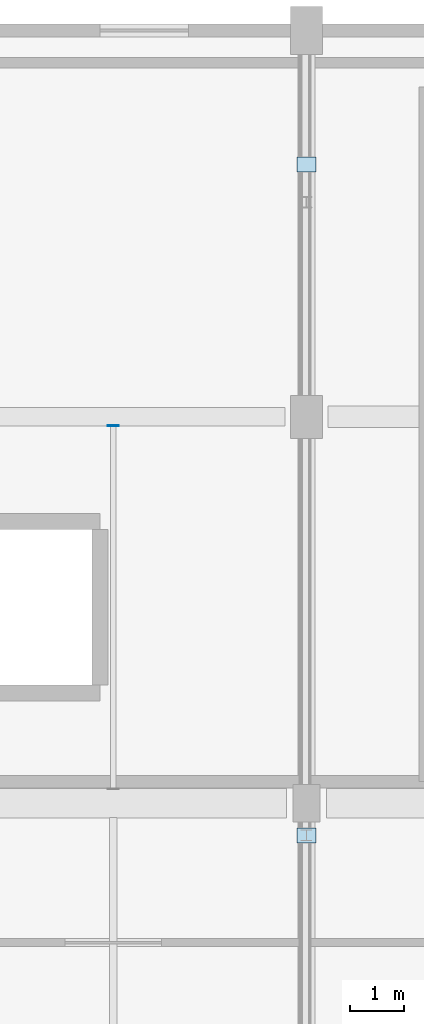
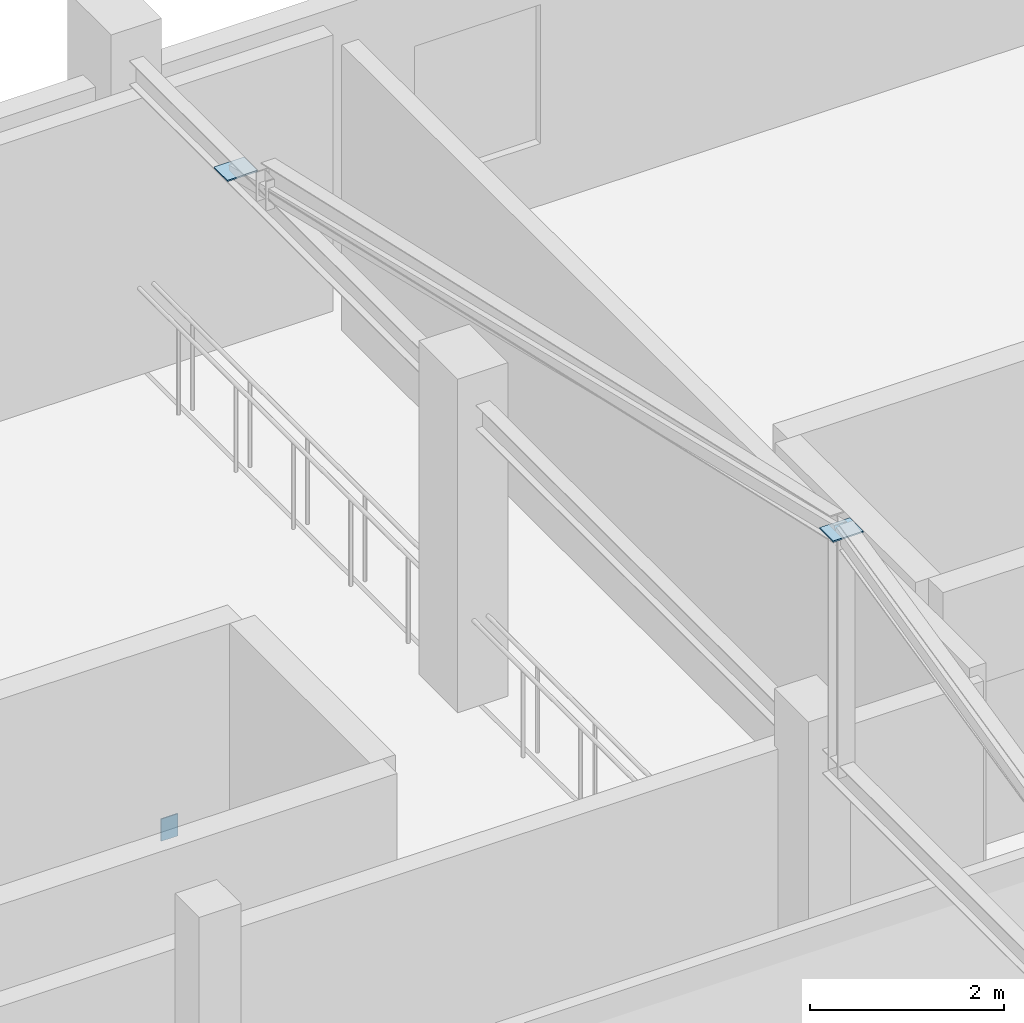
# One storey, part 28 of 41: 3 plates.
"""IFC4 building model written with IfcOpenShell, lengths in metres."""

from ifc_helpers import new_model, si_unit, direction, frame, origin, origin_2d, place, context, subcontext, project, spatial, rectangle, extrude, material, layer, layer_set, type_object, element, save


model = new_model("IFC4")

# Units and contexts
model_context = context("Model", 3, precision=1e-05, world=origin(), true_north=direction((0.0, 1.0)))
body_context = subcontext(model_context, "Body", "Model", "MODEL_VIEW")
ifc_project = project(units=[si_unit("LENGTHUNIT", "METRE"), si_unit("AREAUNIT", "SQUARE_METRE"), si_unit("VOLUMEUNIT", "CUBIC_METRE"), si_unit("PLANEANGLEUNIT", "RADIAN"), si_unit("MASSUNIT", "GRAM", prefix="KILO")], contexts=[model_context])

# Site, building, storey
site_placement = place(None, origin())
site = spatial("IfcSite", under=ifc_project, at=site_placement, CompositionType="ELEMENT")
building_placement = place(site_placement, origin())
building = spatial("IfcBuilding", under=site, at=building_placement, Name="Solanera Park Tramway Depot", CompositionType="ELEMENT")
storey_placement = place(building_placement, frame((0.0, 0.0, 13.199951171875)))
storey = spatial("IfcBuildingStorey", under=building, at=storey_placement, Name="L03", CompositionType="ELEMENT", Elevation=13.199951171875)

# Plates
ifc_material_1 = material(Name="Steel AS/NZS 3679.1 Grade 350", Category="steel")
ifc_layer_1 = layer(ifc_material_1, 0.013916015625)
ifc_layer_set_1 = layer_set([ifc_layer_1], Name="Steel AS/NZS 3679.1 Grade 350")
plate_type_1 = type_object("IfcPlateType", Name="Hollow End Cap and Base Plate 280x200x14", PredefinedType="USERDEFINED", material=ifc_layer_set_1)
plate_placement = place(storey_placement, frame((147.60009765625, 25.035888671875, -0.56884765625), z_axis=(0.0, 0.0, 1.0), x_axis=(0.0, 1.0, 0.0)))
element("IfcPlate", 1, at=plate_placement, inside=storey, type_object=plate_type_1, Name="Hollow Section Welded End Cap Plate #0063", ObjectType="BASE PLATE", PredefinedType="USERDEFINED", context=body_context, shape_type="SweptSolid", body=[
    extrude(rectangle(XDim=0.013916015625, YDim=0.199951171875, at=origin_2d()), origin(), (0.0, 0.0, 1.0), 0.280029296875),
])
ifc_material_2 = material(Name="Steel AS/NZS 3679.1 Grade 350", Category="steel")
ifc_layer_2 = layer(ifc_material_2, 0.01806640625)
ifc_layer_set_2 = layer_set([ifc_layer_2], Name="Steel AS/NZS 3679.1 Grade 350")
plate_type_2 = type_object("IfcPlateType", Name="Hollow End Cap and Base Plate 360x280x18", PredefinedType="USERDEFINED", material=ifc_layer_set_2)
for number, where, z_axis, x_axis, name in (
    (2, (151.199951171875, 17.39990234375, 6.674560546875), (0.0, 0.0, 1.0), (1.0, 0.0, 0.0), "Hip Truss Web Sealed Cap Plate #1132"),
    (3, (151.199951171875, 29.89990234375, 3.637451171875), (0.0, 0.0, 1.0), (1.0, 0.0, 0.0), "Hip Truss Web Sealed Cap Plate #1133"),
):
    element("IfcPlate", number, at=place(storey_placement, frame(where, z_axis=z_axis, x_axis=x_axis)), inside=storey, type_object=plate_type_2, Name=name, ObjectType="BASE PLATE", PredefinedType="USERDEFINED", context=body_context, shape_type="SweptSolid", body=[
        extrude(rectangle(XDim=0.360107421875, YDim=0.280029296875, at=origin_2d()), origin(), (0.0, 0.0, 1.0), 0.01806640625),
    ])

save(model, "model.ifc")
